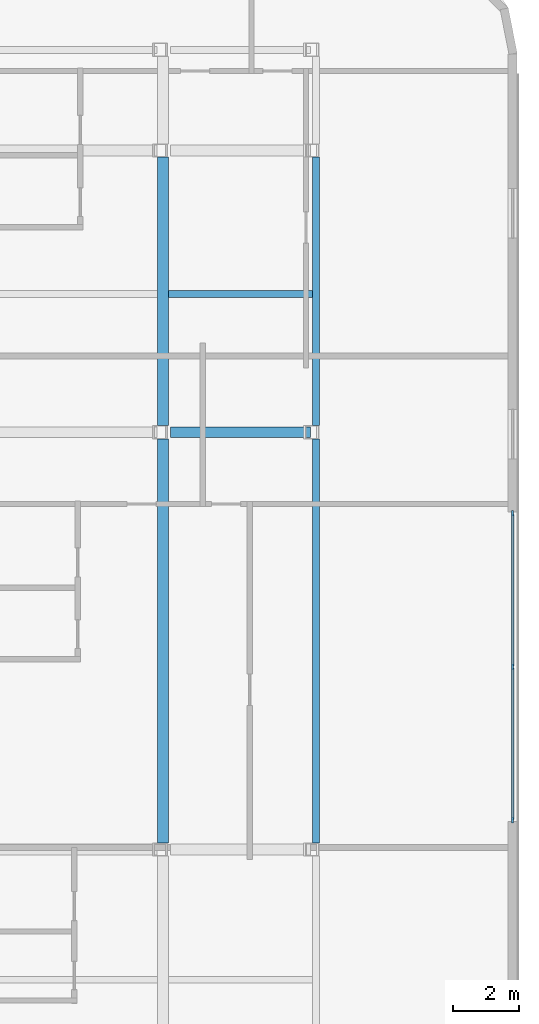
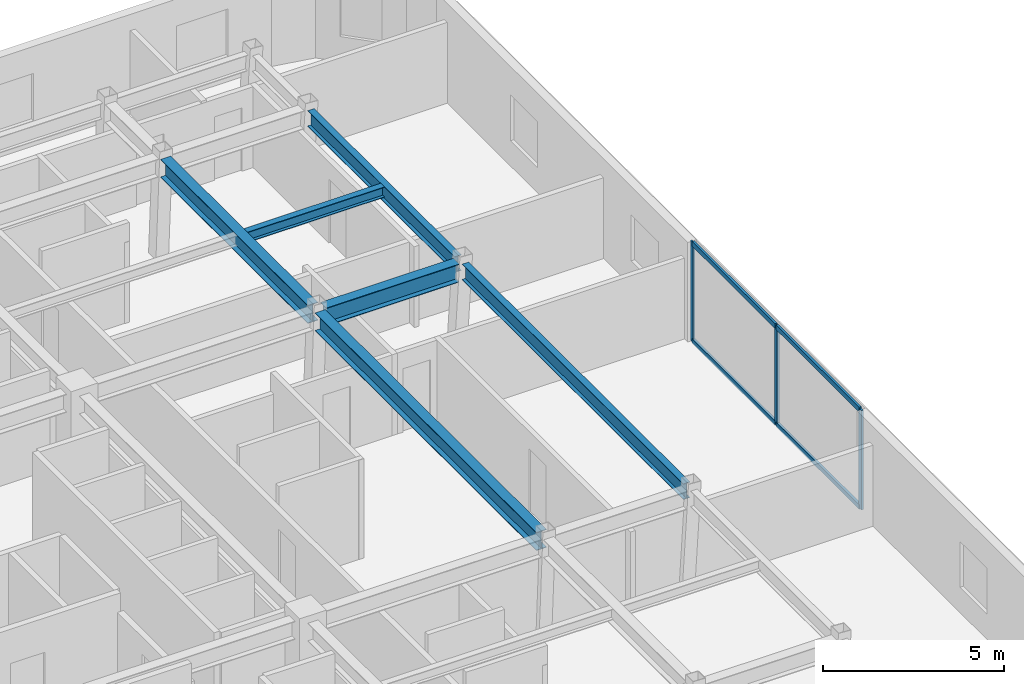
# One storey, part 2 of 12: 7 members, 6 beams, 1 element without a shape of its own.
"""IFC4 building model written with IfcOpenShell, lengths in metres."""

from ifc_helpers import new_model, si_unit, direction, frame, origin, origin_2d, place, context, subcontext, project, spatial, rectangle, i_section, extrude, material, layer, layer_set, material_profile, profile_set, type_object, element, aggregate, save


model = new_model("IFC4")

# Units and contexts
model_context = context("Model", 3, precision=1e-05, world=origin(), true_north=direction((0.0, 1.0)))
body_context = subcontext(model_context, "Body", "Model", "MODEL_VIEW")
ifc_project = project(units=[si_unit("LENGTHUNIT", "METRE"), si_unit("AREAUNIT", "SQUARE_METRE"), si_unit("VOLUMEUNIT", "CUBIC_METRE"), si_unit("PLANEANGLEUNIT", "RADIAN"), si_unit("MASSUNIT", "GRAM", prefix="KILO")], contexts=[model_context])

# Site, building, storey
site_placement = place(None, origin())
site = spatial("IfcSite", under=ifc_project, at=site_placement, CompositionType="ELEMENT")
building_placement = place(site_placement, origin())
building = spatial("IfcBuilding", under=site, at=building_placement, Name="Ochreholt Gables", CompositionType="ELEMENT")
storey_placement = place(building_placement, frame((0.0, 0.0, 80.39990234375)))
storey = spatial("IfcBuildingStorey", under=building, at=storey_placement, Name="L20", CompositionType="ELEMENT", Elevation=80.39990234375)

# Beams
ifc_material_1 = material(Name="Steel CSA G40.21 350W", Category="steel")
ifc_material_profile_1 = material_profile(ifc_material_1, i_section(OverallWidth=0.323974609375, OverallDepth=0.611083984375, WebThickness=0.0126953125, FlangeThickness=0.01904296875, at=origin_2d()), Name="W610X155")
ifc_profile_set_1 = profile_set([ifc_material_profile_1], Name="Steel CSA G40.21 350W")
beam_type_1 = type_object("IfcBeamType", Name="BM-G-W610A", PredefinedType="BEAM", material=ifc_profile_set_1)
beam_1_placement = place(storey_placement, frame((43.07861328125, 30.199951171875, 3.0546875), z_axis=(1.0, 0.0, 0.0), x_axis=(0.0, 1.0, 0.0)))
element("IfcBeam", 1, at=beam_1_placement, inside=storey, type_object=beam_type_1, Name="L20 Beam TBG-L20-EMEE-Y4", PredefinedType="BEAM", context=body_context, shape_type="SweptSolid", body=[
    extrude(i_section(OverallWidth=0.323974609375, OverallDepth=0.611083984375, WebThickness=0.0126953125, FlangeThickness=0.01904296875, at=origin_2d()), origin(), (0.0, 0.0, 1.0), 4.24755859375),
])
beam_2_placement = place(storey_placement, frame((42.85888671875, 17.752685546875, 3.0546875), z_axis=(0.0, 1.0, 0.0), x_axis=(-1.0, 0.0, 0.0)))
element("IfcBeam", 2, at=beam_2_placement, inside=storey, type_object=beam_type_1, Name="L20 Beam TBN-L20-EM-Y3Y4", PredefinedType="BEAM", context=body_context, shape_type="SweptSolid", body=[
    extrude(i_section(OverallWidth=0.323974609375, OverallDepth=0.611083984375, WebThickness=0.0126953125, FlangeThickness=0.01904296875, at=origin_2d()), origin(), (0.0, 0.0, 1.0), 12.24462890625),
])
beam_3_placement = place(storey_placement, frame((42.85888671875, 30.402587890625, 3.0546875), z_axis=(0.0, 1.0, 0.0), x_axis=(-1.0, 0.0, 0.0)))
element("IfcBeam", 3, at=beam_3_placement, inside=storey, type_object=beam_type_1, Name="L20 Beam TBN-L20-EM-Y4Y5", PredefinedType="BEAM", context=body_context, shape_type="SweptSolid", body=[
    extrude(i_section(OverallWidth=0.323974609375, OverallDepth=0.611083984375, WebThickness=0.0126953125, FlangeThickness=0.01904296875, at=origin_2d()), origin(), (0.0, 0.0, 1.0), 8.144775390625),
])
ifc_material_profile_2 = material_profile(ifc_material_1, i_section(OverallWidth=0.205078125, OverallDepth=0.35400390625, WebThickness=0.009521484375, FlangeThickness=0.016845703125, at=origin_2d()), Name="W360X79")
ifc_profile_set_2 = profile_set([ifc_material_profile_2], Name="Steel CSA G40.21 350W")
beam_type_2 = type_object("IfcBeamType", Name="BM-J-W360A", PredefinedType="JOIST", material=ifc_profile_set_2)
beam_4_placement = place(storey_placement, frame((43.0205078125, 34.39990234375, 3.18310546875), z_axis=(1.0, 0.0, 0.0), x_axis=(0.0, 1.0, 0.0)))
element("IfcBeam", 4, at=beam_4_placement, inside=storey, type_object=beam_type_2, Name="L20 Beam TBJ-L20-J2-EMEE", PredefinedType="JOIST", context=body_context, shape_type="SweptSolid", body=[
    extrude(i_section(OverallWidth=0.205078125, OverallDepth=0.35400390625, WebThickness=0.009521484375, FlangeThickness=0.016845703125, at=origin_2d()), origin(), (0.0, 0.0, 1.0), 4.375732421875),
])
ifc_material_profile_3 = material_profile(ifc_material_1, i_section(OverallWidth=0.208984375, OverallDepth=0.532958984375, WebThickness=0.01025390625, FlangeThickness=0.015625, at=origin_2d()), Name="W530X92")
ifc_profile_set_3 = profile_set([ifc_material_profile_3], Name="Steel CSA G40.21 350W")
beam_type_3 = type_object("IfcBeamType", Name="BM-SP-W530B", PredefinedType="SPANDREL", material=ifc_profile_set_3)
beam_5_placement = place(storey_placement, frame((47.50048828125, 17.752685546875, 3.093505859375), z_axis=(0.0, 1.0, 0.0), x_axis=(-1.0, 0.0, 0.0)))
element("IfcBeam", 5, at=beam_5_placement, inside=storey, type_object=beam_type_3, Name="L20 Beam TBN-L20-EE-Y3Y4", PredefinedType="SPANDREL", context=body_context, shape_type="SweptSolid", body=[
    extrude(i_section(OverallWidth=0.208984375, OverallDepth=0.532958984375, WebThickness=0.01025390625, FlangeThickness=0.015625, at=origin_2d()), origin(), (0.0, 0.0, 1.0), 12.24462890625),
])
beam_6_placement = place(storey_placement, frame((47.50048828125, 30.402587890625, 3.093505859375), z_axis=(0.0, 1.0, 0.0), x_axis=(-1.0, 0.0, 0.0)))
element("IfcBeam", 6, at=beam_6_placement, inside=storey, type_object=beam_type_3, Name="L20 Beam TBN-L20-EE-Y4Y5", PredefinedType="SPANDREL", context=body_context, shape_type="SweptSolid", body=[
    extrude(i_section(OverallWidth=0.208984375, OverallDepth=0.532958984375, WebThickness=0.01025390625, FlangeThickness=0.015625, at=origin_2d()), origin(), (0.0, 0.0, 1.0), 8.144775390625),
])

# Curtain wall, members
ifc_material_2 = material(Name="Unitised Aluminium and Triple Glazing", Category="aluminium")
ifc_layer = layer(ifc_material_2, 0.18994140625, Name="Unitised Aluminium and Triple Glazing")
ifc_layer_set = layer_set([ifc_layer], Name="Unitised Aluminium and Triple Glazing")
curtain_wall_type = type_object("IfcCurtainWallType", Name="CW-SYS3", PredefinedType="NOTDEFINED", material=ifc_layer_set)
curtain_wall_placement = place(storey_placement, origin())
curtain_wall = element("IfcCurtainWall", 7, at=curtain_wall_placement, inside=storey, type_object=curtain_wall_type, Name="L20 East Unitised Curtain Wall", PredefinedType="NOTDEFINED")
ifc_material_3 = material(Name="Anodized Aluminium 6063-T6", Category="aluminium")
ifc_material_profile_4 = material_profile(ifc_material_3, rectangle(XDim=0.06494140625, YDim=0.1650390625, at=origin_2d()), Name="CWM65X165")
ifc_profile_set_4 = profile_set([ifc_material_profile_4], Name="Anodized Aluminium 6063-T6")
member_type_1 = type_object("IfcMemberType", Name="CW-MUL-B", PredefinedType="MULLION", material=ifc_profile_set_4)
member_1_placement = place(storey_placement, frame((53.4599609375, 18.4326171875, 0.0), z_axis=(0.0, 0.0, 1.0), x_axis=(-1.0, 0.0, 0.0)))
member_1 = element("IfcMember", 8, at=member_1_placement, type_object=member_type_1, Name="CW-3 mullion 1", PredefinedType="MULLION", context=body_context, shape_type="SweptSolid", body=[
    extrude(rectangle(XDim=0.06494140625, YDim=0.1650390625, at=origin_2d()), origin(), (0.0, 0.0, 1.0), 3.360107421875),
])
member_2_placement = place(storey_placement, frame((53.4599609375, 23.090087890625, 0.0), z_axis=(0.0, 0.0, 1.0), x_axis=(-1.0, 0.0, 0.0)))
member_2 = element("IfcMember", 9, at=member_2_placement, type_object=member_type_1, Name="CW-3 mullion 2", PredefinedType="MULLION", context=body_context, shape_type="SweptSolid", body=[
    extrude(rectangle(XDim=0.06494140625, YDim=0.1650390625, at=origin_2d()), origin(), (0.0, 0.0, 1.0), 3.360107421875),
])
member_3_placement = place(storey_placement, frame((53.4599609375, 27.74755859375, 0.0), z_axis=(0.0, 0.0, 1.0), x_axis=(-1.0, 0.0, 0.0)))
member_3 = element("IfcMember", 10, at=member_3_placement, type_object=member_type_1, Name="CW-3 mullion 3", PredefinedType="MULLION", context=body_context, shape_type="SweptSolid", body=[
    extrude(rectangle(XDim=0.06494140625, YDim=0.1650390625, at=origin_2d()), origin(), (0.0, 0.0, 1.0), 3.360107421875),
])
ifc_material_profile_5 = material_profile(ifc_material_3, rectangle(XDim=0.074951171875, YDim=0.159912109375, at=origin_2d()), Name="CWT75X160")
ifc_profile_set_5 = profile_set([ifc_material_profile_5], Name="Anodized Aluminium 6063-T6")
member_type_2 = type_object("IfcMemberType", Name="CW-TRN-A", PredefinedType="USERDEFINED", material=ifc_profile_set_5)
member_4_placement = place(storey_placement, frame((53.4599609375, 18.465087890625, 0.03759765625), z_axis=(0.0, 1.0, 0.0), x_axis=(-1.0, 0.0, 0.0)))
member_4 = element("IfcMember", 11, at=member_4_placement, type_object=member_type_2, Name="CW-3 transom 1.1", ObjectType="TRANSOM", PredefinedType="USERDEFINED", context=body_context, shape_type="SweptSolid", body=[
    extrude(rectangle(XDim=0.074951171875, YDim=0.159912109375, at=origin_2d()), origin(), (0.0, 0.0, 1.0), 4.592529296875),
])
member_5_placement = place(storey_placement, frame((53.4599609375, 18.465087890625, 3.322509765625), z_axis=(0.0, 1.0, 0.0), x_axis=(-1.0, 0.0, 0.0)))
member_5 = element("IfcMember", 12, at=member_5_placement, type_object=member_type_2, Name="CW-3 transom 1.2", ObjectType="TRANSOM", PredefinedType="USERDEFINED", context=body_context, shape_type="SweptSolid", body=[
    extrude(rectangle(XDim=0.074951171875, YDim=0.159912109375, at=origin_2d()), origin(), (0.0, 0.0, 1.0), 4.592529296875),
])
member_6_placement = place(storey_placement, frame((53.4599609375, 23.12255859375, 0.03759765625), z_axis=(0.0, 1.0, 0.0), x_axis=(-1.0, 0.0, 0.0)))
member_6 = element("IfcMember", 13, at=member_6_placement, type_object=member_type_2, Name="CW-3 transom 2.1", ObjectType="TRANSOM", PredefinedType="USERDEFINED", context=body_context, shape_type="SweptSolid", body=[
    extrude(rectangle(XDim=0.074951171875, YDim=0.159912109375, at=origin_2d()), origin(), (0.0, 0.0, 1.0), 4.592529296875),
])
member_7_placement = place(storey_placement, frame((53.4599609375, 23.12255859375, 3.322509765625), z_axis=(0.0, 1.0, 0.0), x_axis=(-1.0, 0.0, 0.0)))
member_7 = element("IfcMember", 14, at=member_7_placement, type_object=member_type_2, Name="CW-3 transom 2.2", ObjectType="TRANSOM", PredefinedType="USERDEFINED", context=body_context, shape_type="SweptSolid", body=[
    extrude(rectangle(XDim=0.074951171875, YDim=0.159912109375, at=origin_2d()), origin(), (0.0, 0.0, 1.0), 4.592529296875),
])
aggregate(curtain_wall, [member_1, member_2, member_3, member_4, member_5, member_6, member_7])

save(model, "model.ifc")
